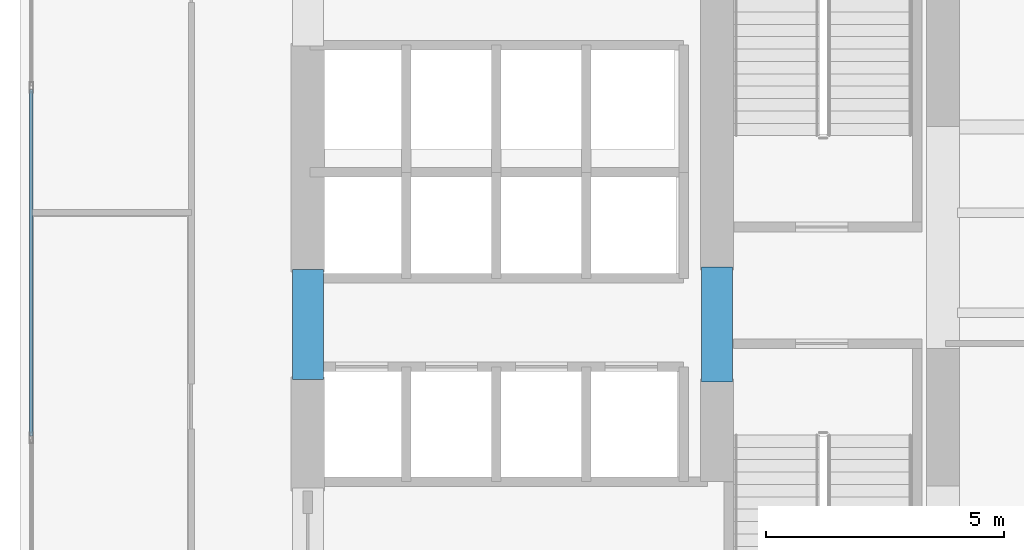
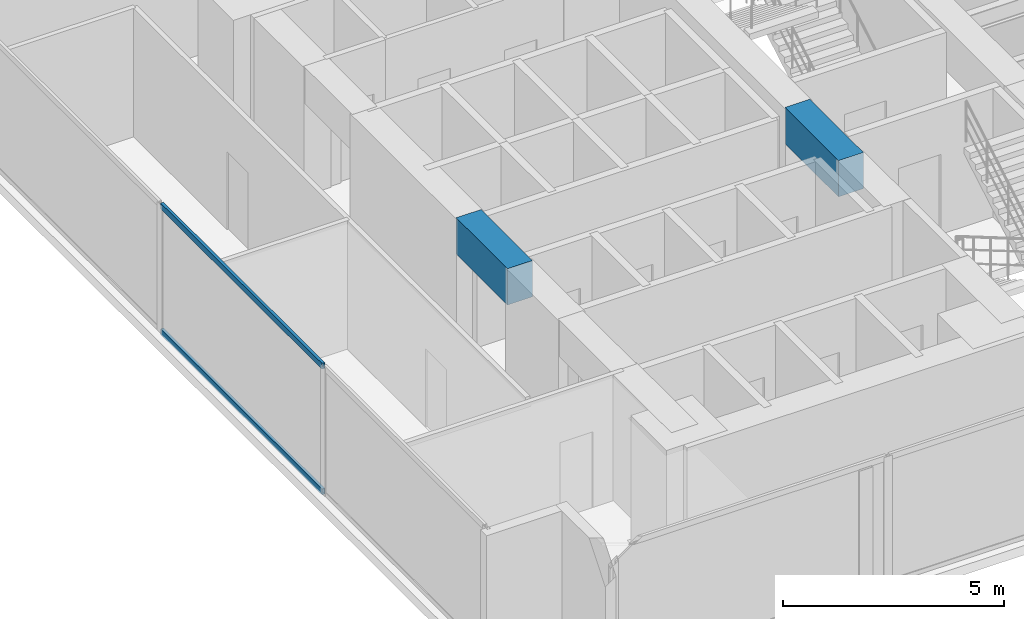
# One storey, part 3 of 30: 2 beams, 2 members, 1 element without a shape of its own.
"""IFC4 building model written with IfcOpenShell, lengths in metres."""

from ifc_helpers import new_model, si_unit, direction, frame, origin, origin_with_axes, origin_2d, place, context, subcontext, project, spatial, rectangle, hollow_rectangle, extrude, source, transform, mapped, material, layer, layer_set, material_profile, profile_set, type_object, element, aggregate, save


model = new_model("IFC4")

# Units and contexts
model_context = context("Model", 3, precision=1e-05, world=origin(), true_north=direction((0.0, 1.0)))
body_context = subcontext(model_context, "Body", "Model", "MODEL_VIEW")
ifc_project = project(units=[si_unit("LENGTHUNIT", "METRE"), si_unit("AREAUNIT", "SQUARE_METRE"), si_unit("VOLUMEUNIT", "CUBIC_METRE"), si_unit("PLANEANGLEUNIT", "RADIAN"), si_unit("MASSUNIT", "GRAM", prefix="KILO")], contexts=[model_context])

# Site, building, storey
site_placement = place(None, origin())
site = spatial("IfcSite", under=ifc_project, at=site_placement, CompositionType="ELEMENT")
building_placement = place(site_placement, origin())
building = spatial("IfcBuilding", under=site, at=building_placement, Name="Kolvaren Waterfront Exchange", CompositionType="ELEMENT")
storey_placement = place(building_placement, frame((0.0, 0.0, 71.39990234375)))
storey = spatial("IfcBuildingStorey", under=building, at=storey_placement, Name="L18", CompositionType="ELEMENT", Elevation=71.39990234375)

# Beams
ifc_material_1 = material(Name="Concrete C60/75", Category="concrete")
ifc_material_profile_1 = material_profile(ifc_material_1, rectangle(XDim=0.64990234375, YDim=1.0, at=origin_2d()), Name="RC-CB-1000x650")
ifc_profile_set_1 = profile_set([ifc_material_profile_1], Name="Concrete C60/75")
beam_type = type_object("IfcBeamType", Name="STR-CB-1000", PredefinedType="SPANDREL", material=ifc_profile_set_1)
beam_1_placement = place(storey_placement, frame((7.449951171875, 12.090087890625, 3.0400390625), z_axis=(0.0, 1.0, 0.0), x_axis=(-1.0, 0.0, 0.0)))
element("IfcBeam", 1, at=beam_1_placement, inside=storey, type_object=beam_type, Name="L18 core coupling beam 4", PredefinedType="SPANDREL", context=body_context, shape_type="SweptSolid", body=[
    extrude(rectangle(XDim=0.64990234375, YDim=1.0, at=origin_2d()), origin(), (0.0, 0.0, 1.0), 2.31982421875),
])
beam_2_placement = place(storey_placement, frame((16.050048828125, 12.0400390625, 3.0400390625), z_axis=(0.0, 1.0, 0.0), x_axis=(-1.0, 0.0, 0.0)))
element("IfcBeam", 2, at=beam_2_placement, inside=storey, type_object=beam_type, Name="L18 core coupling beam 6", PredefinedType="SPANDREL", context=body_context, shape_type="SweptSolid", body=[
    extrude(rectangle(XDim=0.64990234375, YDim=1.0, at=origin_2d()), origin(), (0.0, 0.0, 1.0), 2.419921875),
])

# Curtain wall, members
ifc_material_2 = material(Name="Anodised aluminium 6063-T6", Category="aluminium")
ifc_layer = layer(ifc_material_2, 0.219970703125, Name="Anodised aluminium 6063-T6")
ifc_layer_set = layer_set([ifc_layer], Name="Anodised aluminium 6063-T6")
curtain_wall_type = type_object("IfcCurtainWallType", Name="ARC-CW-SYS2", PredefinedType="USERDEFINED", material=ifc_layer_set)
curtain_wall_placement = place(storey_placement, origin())
curtain_wall = element("IfcCurtainWall", 3, at=curtain_wall_placement, inside=storey, type_object=curtain_wall_type, Name="L18 stick curtain wall CW2 (CW-L18-W)", ObjectType="STICK CURTAIN WALL", PredefinedType="USERDEFINED")
ifc_material_profile_2 = material_profile(ifc_material_2, hollow_rectangle(XDim=0.074951171875, YDim=0.159912109375, WallThickness=0.00439453125, at=origin_2d()), Name="ALU-TRN-160x75x4.5")
ifc_profile_set_2 = profile_set([ifc_material_profile_2], Name="Anodised aluminium 6063-T6")
member_type = type_object("IfcMemberType", Name="ARC-CWT-160", PredefinedType="USERDEFINED", material=ifc_profile_set_2)
shared_shape = source(origin_with_axes(), body_context, "Body", "SweptSolid", [
    extrude(hollow_rectangle(XDim=0.074951171875, YDim=0.159912109375, WallThickness=0.00439453125, at=origin_2d()), origin(), (0.0, 0.0, 1.0), 7.28662109375),
])
member_1_placement = place(storey_placement, frame((1.639892578125, 10.90673828125, 0.03759765625), z_axis=(0.0, 1.0, 0.0), x_axis=(-1.0, 0.0, 0.0)))
member_1 = element("IfcMember", 4, at=member_1_placement, type_object=member_type, Name="CW2 transom 2.1", ObjectType="TRANSOM", PredefinedType="USERDEFINED", context=body_context, shape_type="MappedRepresentation", body=[
    mapped(shared_shape, transform((0.0, 0.0, 0.0), x_axis=(1.0, 0.0, 0.0), y_axis=(0.0, 1.0, 0.0), z_axis=(0.0, 0.0, 1.0), scale=1.0)),
])
member_2_placement = place(storey_placement, frame((1.639892578125, 10.90673828125, 3.502685546875), z_axis=(0.0, 1.0, 0.0), x_axis=(-1.0, 0.0, 0.0)))
member_2 = element("IfcMember", 5, at=member_2_placement, type_object=member_type, Name="CW2 transom 2.2", ObjectType="TRANSOM", PredefinedType="USERDEFINED", context=body_context, shape_type="MappedRepresentation", body=[
    mapped(shared_shape, transform((0.0, 0.0, 0.0), x_axis=(1.0, 0.0, 0.0), y_axis=(0.0, 1.0, 0.0), z_axis=(0.0, 0.0, 1.0), scale=1.0)),
])
aggregate(curtain_wall, [member_1, member_2])

save(model, "model.ifc")
